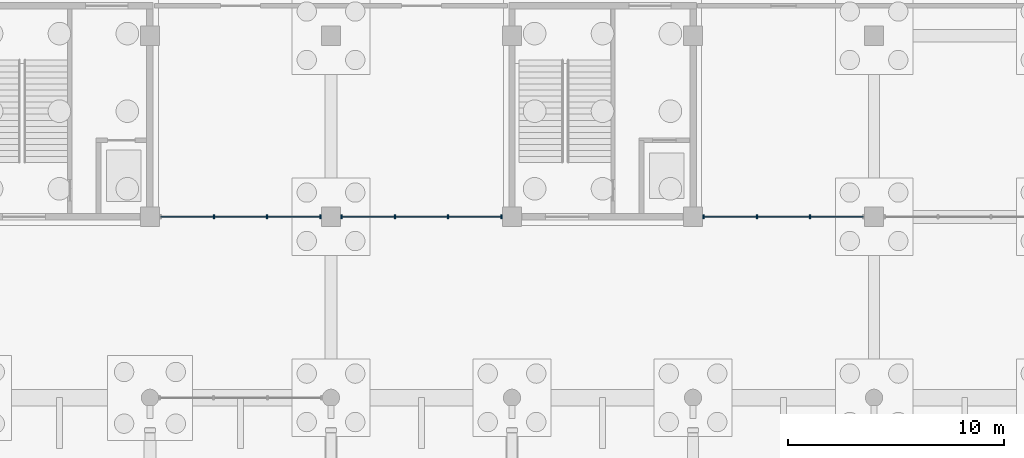
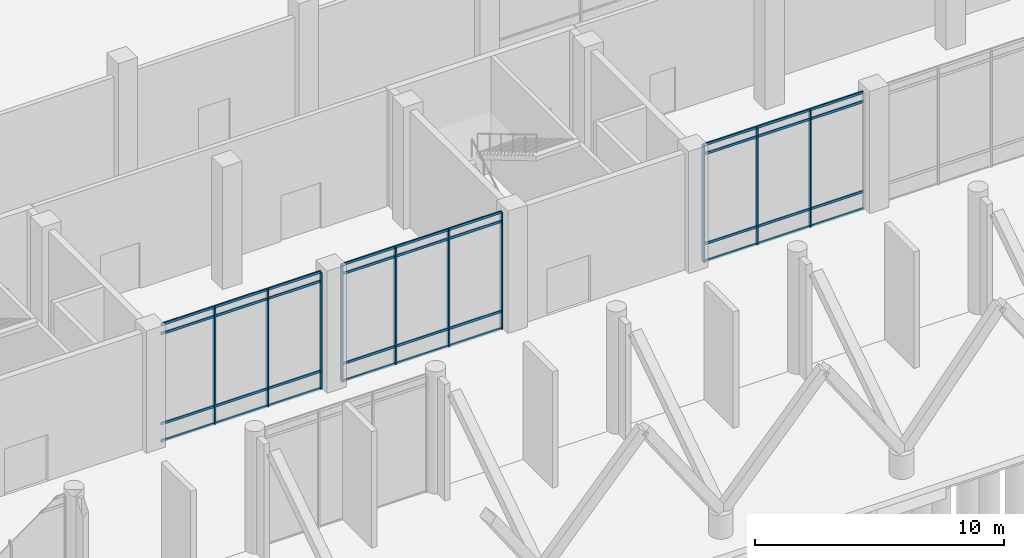
# One storey, part 28 of 72: 46 members, 3 elements without a shape of their own.
"""IFC4 building model written with IfcOpenShell, lengths in metres."""

from ifc_helpers import new_model, si_unit, direction, frame, origin, origin_2d, place, context, subcontext, project, spatial, rectangle, extrude, material, layer, layer_set, material_profile, profile_set, type_object, element, aggregate, save


model = new_model("IFC4")

# Units and contexts
model_context = context("Model", 3, precision=1e-05, world=origin(), true_north=direction((0.0, 1.0)))
body_context = subcontext(model_context, "Body", "Model", "MODEL_VIEW")
ifc_project = project(units=[si_unit("LENGTHUNIT", "METRE"), si_unit("AREAUNIT", "SQUARE_METRE"), si_unit("VOLUMEUNIT", "CUBIC_METRE"), si_unit("PLANEANGLEUNIT", "RADIAN"), si_unit("MASSUNIT", "GRAM", prefix="KILO")], contexts=[model_context])

# Site, building, storey
site_placement = place(None, origin())
site = spatial("IfcSite", under=ifc_project, at=site_placement, CompositionType="ELEMENT")
building_placement = place(site_placement, origin())
building = spatial("IfcBuilding", under=site, at=building_placement, Name="Qawsi Khor Wholesale Market", CompositionType="ELEMENT")
storey_placement = place(building_placement, origin())
storey = spatial("IfcBuildingStorey", under=building, at=storey_placement, Name="L00", CompositionType="ELEMENT", Elevation=0.0)

# Curtain wall, members
ifc_material = material(Name="Aluminium Anodised Bronze", Category="aluminium")
ifc_layer = layer(ifc_material, 0.159912109375, Name="Aluminium Anodised Bronze")
ifc_layer_set = layer_set([ifc_layer], Name="Aluminium Anodised Bronze")
curtain_wall_type = type_object("IfcCurtainWallType", Name="Boulevard Arcade Glazed Curtain Wall CW-01", PredefinedType="NOTDEFINED", material=ifc_layer_set)
curtain_wall_1_placement = place(storey_placement, origin())
curtain_wall_1 = element("IfcCurtainWall", 1, at=curtain_wall_1_placement, inside=storey, type_object=curtain_wall_type, Name="Curtain wall CW-CW-01-L00-005", PredefinedType="NOTDEFINED")
ifc_material_profile_1 = material_profile(ifc_material, rectangle(XDim=0.06494140625, YDim=0.179931640625, at=origin_2d()), Name="ALU MULLION 65x180")
ifc_profile_set_1 = profile_set([ifc_material_profile_1], Name="Aluminium Anodised Bronze")
member_type_1 = type_object("IfcMemberType", Name="Curtain Wall Mullion CW-01 ALU MULLION 65x180", PredefinedType="MULLION", material=ifc_profile_set_1)
member_1_placement = place(storey_placement, frame((128.964111328125, 8.39990234375, -0.02001953125), z_axis=(0.0, 0.0, 1.0), x_axis=(1.0, 0.0, 0.0)))
member_1 = element("IfcMember", 2, at=member_1_placement, type_object=member_type_1, Name="Mullion CW-CW-01-L00-005-M01", PredefinedType="MULLION", context=body_context, shape_type="SweptSolid", body=[
    extrude(rectangle(XDim=0.06494140625, YDim=0.179931640625, at=origin_2d()), origin(), (0.0, 0.0, 1.0), 5.739990234375),
])
member_2_placement = place(storey_placement, frame((131.435791015625, 8.39990234375, -0.02001953125), z_axis=(0.0, 0.0, 1.0), x_axis=(1.0, 0.0, 0.0)))
member_2 = element("IfcMember", 3, at=member_2_placement, type_object=member_type_1, Name="Mullion CW-CW-01-L00-005-M02", PredefinedType="MULLION", context=body_context, shape_type="SweptSolid", body=[
    extrude(rectangle(XDim=0.06494140625, YDim=0.179931640625, at=origin_2d()), origin(), (0.0, 0.0, 1.0), 5.739990234375),
])
member_3_placement = place(storey_placement, frame((133.907470703125, 8.39990234375, -0.02001953125), z_axis=(0.0, 0.0, 1.0), x_axis=(1.0, 0.0, 0.0)))
member_3 = element("IfcMember", 4, at=member_3_placement, type_object=member_type_1, Name="Mullion CW-CW-01-L00-005-M03", PredefinedType="MULLION", context=body_context, shape_type="SweptSolid", body=[
    extrude(rectangle(XDim=0.06494140625, YDim=0.179931640625, at=origin_2d()), origin(), (0.0, 0.0, 1.0), 5.739990234375),
])

curtain_wall_2_placement = place(storey_placement, origin())
curtain_wall_2 = element("IfcCurtainWall", 5, at=curtain_wall_2_placement, inside=storey, type_object=curtain_wall_type, Name="Curtain wall CW-CW-01-L00-006", PredefinedType="NOTDEFINED")
member_4_placement = place(storey_placement, frame((134.892578125, 8.39990234375, -0.02001953125), z_axis=(0.0, 0.0, 1.0), x_axis=(1.0, 0.0, 0.0)))
member_4 = element("IfcMember", 6, at=member_4_placement, type_object=member_type_1, Name="Mullion CW-CW-01-L00-006-M00", PredefinedType="MULLION", context=body_context, shape_type="SweptSolid", body=[
    extrude(rectangle(XDim=0.06494140625, YDim=0.179931640625, at=origin_2d()), origin(), (0.0, 0.0, 1.0), 5.739990234375),
])
member_5_placement = place(storey_placement, frame((137.3642578125, 8.39990234375, -0.02001953125), z_axis=(0.0, 0.0, 1.0), x_axis=(1.0, 0.0, 0.0)))
member_5 = element("IfcMember", 7, at=member_5_placement, type_object=member_type_1, Name="Mullion CW-CW-01-L00-006-M01", PredefinedType="MULLION", context=body_context, shape_type="SweptSolid", body=[
    extrude(rectangle(XDim=0.06494140625, YDim=0.179931640625, at=origin_2d()), origin(), (0.0, 0.0, 1.0), 5.739990234375),
])
member_6_placement = place(storey_placement, frame((139.835693359375, 8.39990234375, -0.02001953125), z_axis=(0.0, 0.0, 1.0), x_axis=(1.0, 0.0, 0.0)))
member_6 = element("IfcMember", 8, at=member_6_placement, type_object=member_type_1, Name="Mullion CW-CW-01-L00-006-M02", PredefinedType="MULLION", context=body_context, shape_type="SweptSolid", body=[
    extrude(rectangle(XDim=0.06494140625, YDim=0.179931640625, at=origin_2d()), origin(), (0.0, 0.0, 1.0), 5.739990234375),
])
member_7_placement = place(storey_placement, frame((142.3076171875, 8.39990234375, -0.02001953125), z_axis=(0.0, 0.0, 1.0), x_axis=(1.0, 0.0, 0.0)))
member_7 = element("IfcMember", 9, at=member_7_placement, type_object=member_type_1, Name="Mullion CW-CW-01-L00-006-M03", PredefinedType="MULLION", context=body_context, shape_type="SweptSolid", body=[
    extrude(rectangle(XDim=0.06494140625, YDim=0.179931640625, at=origin_2d()), origin(), (0.0, 0.0, 1.0), 5.739990234375),
])

curtain_wall_3_placement = place(storey_placement, origin())
curtain_wall_3 = element("IfcCurtainWall", 10, at=curtain_wall_3_placement, inside=storey, type_object=curtain_wall_type, Name="Curtain wall CW-CW-01-L00-007", PredefinedType="NOTDEFINED")
member_8_placement = place(storey_placement, frame((151.6923828125, 8.39990234375, -0.02001953125), z_axis=(0.0, 0.0, 1.0), x_axis=(1.0, 0.0, 0.0)))
member_8 = element("IfcMember", 11, at=member_8_placement, type_object=member_type_1, Name="Mullion CW-CW-01-L00-007-M00", PredefinedType="MULLION", context=body_context, shape_type="SweptSolid", body=[
    extrude(rectangle(XDim=0.06494140625, YDim=0.179931640625, at=origin_2d()), origin(), (0.0, 0.0, 1.0), 5.739990234375),
])
member_9_placement = place(storey_placement, frame((154.164306640625, 8.39990234375, -0.02001953125), z_axis=(0.0, 0.0, 1.0), x_axis=(1.0, 0.0, 0.0)))
member_9 = element("IfcMember", 12, at=member_9_placement, type_object=member_type_1, Name="Mullion CW-CW-01-L00-007-M01", PredefinedType="MULLION", context=body_context, shape_type="SweptSolid", body=[
    extrude(rectangle(XDim=0.06494140625, YDim=0.179931640625, at=origin_2d()), origin(), (0.0, 0.0, 1.0), 5.739990234375),
])
member_10_placement = place(storey_placement, frame((156.6357421875, 8.39990234375, -0.02001953125), z_axis=(0.0, 0.0, 1.0), x_axis=(1.0, 0.0, 0.0)))
member_10 = element("IfcMember", 13, at=member_10_placement, type_object=member_type_1, Name="Mullion CW-CW-01-L00-007-M02", PredefinedType="MULLION", context=body_context, shape_type="SweptSolid", body=[
    extrude(rectangle(XDim=0.06494140625, YDim=0.179931640625, at=origin_2d()), origin(), (0.0, 0.0, 1.0), 5.739990234375),
])

# Member
ifc_material_profile_2 = material_profile(ifc_material, rectangle(XDim=0.06005859375, YDim=0.1201171875, at=origin_2d()), Name="ALU TRANSOM 60x120")
ifc_profile_set_2 = profile_set([ifc_material_profile_2], Name="Aluminium Anodised Bronze")
member_type_2 = type_object("IfcMemberType", Name="Curtain Wall Transom CW-01 ALU TRANSOM 60x120", PredefinedType="USERDEFINED", material=ifc_profile_set_2)
member_11_placement = place(storey_placement, frame((126.492431640625, 8.39990234375, 0.0), z_axis=(1.0, 0.0, 0.0), x_axis=(0.0, 1.0, 0.0)))
member_11 = element("IfcMember", 14, at=member_11_placement, type_object=member_type_2, Name="Transom CW-CW-01-L00-005-T0_00", ObjectType="TRANSOM", PredefinedType="USERDEFINED", context=body_context, shape_type="SweptSolid", body=[
    extrude(rectangle(XDim=0.06005859375, YDim=0.1201171875, at=origin_2d()), origin(), (0.0, 0.0, 1.0), 2.4716796875),
])

member_12_placement = place(storey_placement, frame((128.964111328125, 8.39990234375, 0.0), z_axis=(1.0, 0.0, 0.0), x_axis=(0.0, 1.0, 0.0)))
member_12 = element("IfcMember", 15, at=member_12_placement, type_object=member_type_2, Name="Transom CW-CW-01-L00-005-T0_01", ObjectType="TRANSOM", PredefinedType="USERDEFINED", context=body_context, shape_type="SweptSolid", body=[
    extrude(rectangle(XDim=0.06005859375, YDim=0.1201171875, at=origin_2d()), origin(), (0.0, 0.0, 1.0), 2.4716796875),
])

member_13_placement = place(storey_placement, frame((131.435791015625, 8.39990234375, 0.0), z_axis=(1.0, 0.0, 0.0), x_axis=(0.0, 1.0, 0.0)))
member_13 = element("IfcMember", 16, at=member_13_placement, type_object=member_type_2, Name="Transom CW-CW-01-L00-005-T0_02", ObjectType="TRANSOM", PredefinedType="USERDEFINED", context=body_context, shape_type="SweptSolid", body=[
    extrude(rectangle(XDim=0.06005859375, YDim=0.1201171875, at=origin_2d()), origin(), (0.0, 0.0, 1.0), 2.4716796875),
])

member_14_placement = place(storey_placement, frame((126.492431640625, 8.39990234375, 0.85009765625), z_axis=(1.0, 0.0, 0.0), x_axis=(0.0, 1.0, 0.0)))
member_14 = element("IfcMember", 17, at=member_14_placement, type_object=member_type_2, Name="Transom CW-CW-01-L00-005-T1_00", ObjectType="TRANSOM", PredefinedType="USERDEFINED", context=body_context, shape_type="SweptSolid", body=[
    extrude(rectangle(XDim=0.06005859375, YDim=0.1201171875, at=origin_2d()), origin(), (0.0, 0.0, 1.0), 2.4716796875),
])

member_15_placement = place(storey_placement, frame((128.964111328125, 8.39990234375, 0.85009765625), z_axis=(1.0, 0.0, 0.0), x_axis=(0.0, 1.0, 0.0)))
member_15 = element("IfcMember", 18, at=member_15_placement, type_object=member_type_2, Name="Transom CW-CW-01-L00-005-T1_01", ObjectType="TRANSOM", PredefinedType="USERDEFINED", context=body_context, shape_type="SweptSolid", body=[
    extrude(rectangle(XDim=0.06005859375, YDim=0.1201171875, at=origin_2d()), origin(), (0.0, 0.0, 1.0), 2.4716796875),
])

member_16_placement = place(storey_placement, frame((131.435791015625, 8.39990234375, 0.85009765625), z_axis=(1.0, 0.0, 0.0), x_axis=(0.0, 1.0, 0.0)))
member_16 = element("IfcMember", 19, at=member_16_placement, type_object=member_type_2, Name="Transom CW-CW-01-L00-005-T1_02", ObjectType="TRANSOM", PredefinedType="USERDEFINED", context=body_context, shape_type="SweptSolid", body=[
    extrude(rectangle(XDim=0.06005859375, YDim=0.1201171875, at=origin_2d()), origin(), (0.0, 0.0, 1.0), 2.4716796875),
])

member_17_placement = place(storey_placement, frame((126.492431640625, 8.39990234375, 5.27001953125), z_axis=(1.0, 0.0, 0.0), x_axis=(0.0, 1.0, 0.0)))
member_17 = element("IfcMember", 20, at=member_17_placement, type_object=member_type_2, Name="Transom CW-CW-01-L00-005-T2_00", ObjectType="TRANSOM", PredefinedType="USERDEFINED", context=body_context, shape_type="SweptSolid", body=[
    extrude(rectangle(XDim=0.06005859375, YDim=0.1201171875, at=origin_2d()), origin(), (0.0, 0.0, 1.0), 2.4716796875),
])

member_18_placement = place(storey_placement, frame((128.964111328125, 8.39990234375, 5.27001953125), z_axis=(1.0, 0.0, 0.0), x_axis=(0.0, 1.0, 0.0)))
member_18 = element("IfcMember", 21, at=member_18_placement, type_object=member_type_2, Name="Transom CW-CW-01-L00-005-T2_01", ObjectType="TRANSOM", PredefinedType="USERDEFINED", context=body_context, shape_type="SweptSolid", body=[
    extrude(rectangle(XDim=0.06005859375, YDim=0.1201171875, at=origin_2d()), origin(), (0.0, 0.0, 1.0), 2.4716796875),
])

member_19_placement = place(storey_placement, frame((131.435791015625, 8.39990234375, 5.27001953125), z_axis=(1.0, 0.0, 0.0), x_axis=(0.0, 1.0, 0.0)))
member_19 = element("IfcMember", 22, at=member_19_placement, type_object=member_type_2, Name="Transom CW-CW-01-L00-005-T2_02", ObjectType="TRANSOM", PredefinedType="USERDEFINED", context=body_context, shape_type="SweptSolid", body=[
    extrude(rectangle(XDim=0.06005859375, YDim=0.1201171875, at=origin_2d()), origin(), (0.0, 0.0, 1.0), 2.4716796875),
])

member_20_placement = place(storey_placement, frame((126.492431640625, 8.39990234375, 5.719970703125), z_axis=(1.0, 0.0, 0.0), x_axis=(0.0, 1.0, 0.0)))
member_20 = element("IfcMember", 23, at=member_20_placement, type_object=member_type_2, Name="Transom CW-CW-01-L00-005-T3_00", ObjectType="TRANSOM", PredefinedType="USERDEFINED", context=body_context, shape_type="SweptSolid", body=[
    extrude(rectangle(XDim=0.06005859375, YDim=0.1201171875, at=origin_2d()), origin(), (0.0, 0.0, 1.0), 2.4716796875),
])

member_21_placement = place(storey_placement, frame((128.964111328125, 8.39990234375, 5.719970703125), z_axis=(1.0, 0.0, 0.0), x_axis=(0.0, 1.0, 0.0)))
member_21 = element("IfcMember", 24, at=member_21_placement, type_object=member_type_2, Name="Transom CW-CW-01-L00-005-T3_01", ObjectType="TRANSOM", PredefinedType="USERDEFINED", context=body_context, shape_type="SweptSolid", body=[
    extrude(rectangle(XDim=0.06005859375, YDim=0.1201171875, at=origin_2d()), origin(), (0.0, 0.0, 1.0), 2.4716796875),
])

member_22_placement = place(storey_placement, frame((131.435791015625, 8.39990234375, 5.719970703125), z_axis=(1.0, 0.0, 0.0), x_axis=(0.0, 1.0, 0.0)))
member_22 = element("IfcMember", 25, at=member_22_placement, type_object=member_type_2, Name="Transom CW-CW-01-L00-005-T3_02", ObjectType="TRANSOM", PredefinedType="USERDEFINED", context=body_context, shape_type="SweptSolid", body=[
    extrude(rectangle(XDim=0.06005859375, YDim=0.1201171875, at=origin_2d()), origin(), (0.0, 0.0, 1.0), 2.4716796875),
])

aggregate(curtain_wall_1, [member_1, member_2, member_3, member_11, member_12, member_13, member_14, member_15, member_16, member_17, member_18, member_19, member_20, member_21, member_22])

member_23_placement = place(storey_placement, frame((134.892578125, 8.39990234375, 0.0), z_axis=(1.0, 0.0, 0.0), x_axis=(0.0, 1.0, 0.0)))
member_23 = element("IfcMember", 26, at=member_23_placement, type_object=member_type_2, Name="Transom CW-CW-01-L00-006-T0_00", ObjectType="TRANSOM", PredefinedType="USERDEFINED", context=body_context, shape_type="SweptSolid", body=[
    extrude(rectangle(XDim=0.06005859375, YDim=0.1201171875, at=origin_2d()), origin(), (0.0, 0.0, 1.0), 2.4716796875),
])

member_24_placement = place(storey_placement, frame((137.3642578125, 8.39990234375, 0.0), z_axis=(1.0, 0.0, 0.0), x_axis=(0.0, 1.0, 0.0)))
member_24 = element("IfcMember", 27, at=member_24_placement, type_object=member_type_2, Name="Transom CW-CW-01-L00-006-T0_01", ObjectType="TRANSOM", PredefinedType="USERDEFINED", context=body_context, shape_type="SweptSolid", body=[
    extrude(rectangle(XDim=0.06005859375, YDim=0.1201171875, at=origin_2d()), origin(), (0.0, 0.0, 1.0), 2.471435546875),
])

member_25_placement = place(storey_placement, frame((139.835693359375, 8.39990234375, 0.0), z_axis=(1.0, 0.0, 0.0), x_axis=(0.0, 1.0, 0.0)))
member_25 = element("IfcMember", 28, at=member_25_placement, type_object=member_type_2, Name="Transom CW-CW-01-L00-006-T0_02", ObjectType="TRANSOM", PredefinedType="USERDEFINED", context=body_context, shape_type="SweptSolid", body=[
    extrude(rectangle(XDim=0.06005859375, YDim=0.1201171875, at=origin_2d()), origin(), (0.0, 0.0, 1.0), 2.471923828125),
])

member_26_placement = place(storey_placement, frame((134.892578125, 8.39990234375, 0.85009765625), z_axis=(1.0, 0.0, 0.0), x_axis=(0.0, 1.0, 0.0)))
member_26 = element("IfcMember", 29, at=member_26_placement, type_object=member_type_2, Name="Transom CW-CW-01-L00-006-T1_00", ObjectType="TRANSOM", PredefinedType="USERDEFINED", context=body_context, shape_type="SweptSolid", body=[
    extrude(rectangle(XDim=0.06005859375, YDim=0.1201171875, at=origin_2d()), origin(), (0.0, 0.0, 1.0), 2.4716796875),
])

member_27_placement = place(storey_placement, frame((137.3642578125, 8.39990234375, 0.85009765625), z_axis=(1.0, 0.0, 0.0), x_axis=(0.0, 1.0, 0.0)))
member_27 = element("IfcMember", 30, at=member_27_placement, type_object=member_type_2, Name="Transom CW-CW-01-L00-006-T1_01", ObjectType="TRANSOM", PredefinedType="USERDEFINED", context=body_context, shape_type="SweptSolid", body=[
    extrude(rectangle(XDim=0.06005859375, YDim=0.1201171875, at=origin_2d()), origin(), (0.0, 0.0, 1.0), 2.471435546875),
])

member_28_placement = place(storey_placement, frame((139.835693359375, 8.39990234375, 0.85009765625), z_axis=(1.0, 0.0, 0.0), x_axis=(0.0, 1.0, 0.0)))
member_28 = element("IfcMember", 31, at=member_28_placement, type_object=member_type_2, Name="Transom CW-CW-01-L00-006-T1_02", ObjectType="TRANSOM", PredefinedType="USERDEFINED", context=body_context, shape_type="SweptSolid", body=[
    extrude(rectangle(XDim=0.06005859375, YDim=0.1201171875, at=origin_2d()), origin(), (0.0, 0.0, 1.0), 2.471923828125),
])

member_29_placement = place(storey_placement, frame((134.892578125, 8.39990234375, 5.27001953125), z_axis=(1.0, 0.0, 0.0), x_axis=(0.0, 1.0, 0.0)))
member_29 = element("IfcMember", 32, at=member_29_placement, type_object=member_type_2, Name="Transom CW-CW-01-L00-006-T2_00", ObjectType="TRANSOM", PredefinedType="USERDEFINED", context=body_context, shape_type="SweptSolid", body=[
    extrude(rectangle(XDim=0.06005859375, YDim=0.1201171875, at=origin_2d()), origin(), (0.0, 0.0, 1.0), 2.4716796875),
])

member_30_placement = place(storey_placement, frame((137.3642578125, 8.39990234375, 5.27001953125), z_axis=(1.0, 0.0, 0.0), x_axis=(0.0, 1.0, 0.0)))
member_30 = element("IfcMember", 33, at=member_30_placement, type_object=member_type_2, Name="Transom CW-CW-01-L00-006-T2_01", ObjectType="TRANSOM", PredefinedType="USERDEFINED", context=body_context, shape_type="SweptSolid", body=[
    extrude(rectangle(XDim=0.06005859375, YDim=0.1201171875, at=origin_2d()), origin(), (0.0, 0.0, 1.0), 2.471435546875),
])

member_31_placement = place(storey_placement, frame((139.835693359375, 8.39990234375, 5.27001953125), z_axis=(1.0, 0.0, 0.0), x_axis=(0.0, 1.0, 0.0)))
member_31 = element("IfcMember", 34, at=member_31_placement, type_object=member_type_2, Name="Transom CW-CW-01-L00-006-T2_02", ObjectType="TRANSOM", PredefinedType="USERDEFINED", context=body_context, shape_type="SweptSolid", body=[
    extrude(rectangle(XDim=0.06005859375, YDim=0.1201171875, at=origin_2d()), origin(), (0.0, 0.0, 1.0), 2.471923828125),
])

member_32_placement = place(storey_placement, frame((134.892578125, 8.39990234375, 5.719970703125), z_axis=(1.0, 0.0, 0.0), x_axis=(0.0, 1.0, 0.0)))
member_32 = element("IfcMember", 35, at=member_32_placement, type_object=member_type_2, Name="Transom CW-CW-01-L00-006-T3_00", ObjectType="TRANSOM", PredefinedType="USERDEFINED", context=body_context, shape_type="SweptSolid", body=[
    extrude(rectangle(XDim=0.06005859375, YDim=0.1201171875, at=origin_2d()), origin(), (0.0, 0.0, 1.0), 2.4716796875),
])

member_33_placement = place(storey_placement, frame((137.3642578125, 8.39990234375, 5.719970703125), z_axis=(1.0, 0.0, 0.0), x_axis=(0.0, 1.0, 0.0)))
member_33 = element("IfcMember", 36, at=member_33_placement, type_object=member_type_2, Name="Transom CW-CW-01-L00-006-T3_01", ObjectType="TRANSOM", PredefinedType="USERDEFINED", context=body_context, shape_type="SweptSolid", body=[
    extrude(rectangle(XDim=0.06005859375, YDim=0.1201171875, at=origin_2d()), origin(), (0.0, 0.0, 1.0), 2.471435546875),
])

member_34_placement = place(storey_placement, frame((139.835693359375, 8.39990234375, 5.719970703125), z_axis=(1.0, 0.0, 0.0), x_axis=(0.0, 1.0, 0.0)))
member_34 = element("IfcMember", 37, at=member_34_placement, type_object=member_type_2, Name="Transom CW-CW-01-L00-006-T3_02", ObjectType="TRANSOM", PredefinedType="USERDEFINED", context=body_context, shape_type="SweptSolid", body=[
    extrude(rectangle(XDim=0.06005859375, YDim=0.1201171875, at=origin_2d()), origin(), (0.0, 0.0, 1.0), 2.471923828125),
])

aggregate(curtain_wall_2, [member_4, member_5, member_6, member_7, member_23, member_24, member_25, member_26, member_27, member_28, member_29, member_30, member_31, member_32, member_33, member_34])

member_35_placement = place(storey_placement, frame((151.6923828125, 8.39990234375, 0.0), z_axis=(1.0, 0.0, 0.0), x_axis=(0.0, 1.0, 0.0)))
member_35 = element("IfcMember", 38, at=member_35_placement, type_object=member_type_2, Name="Transom CW-CW-01-L00-007-T0_00", ObjectType="TRANSOM", PredefinedType="USERDEFINED", context=body_context, shape_type="SweptSolid", body=[
    extrude(rectangle(XDim=0.06005859375, YDim=0.1201171875, at=origin_2d()), origin(), (0.0, 0.0, 1.0), 2.471923828125),
])

member_36_placement = place(storey_placement, frame((154.164306640625, 8.39990234375, 0.0), z_axis=(1.0, 0.0, 0.0), x_axis=(0.0, 1.0, 0.0)))
member_36 = element("IfcMember", 39, at=member_36_placement, type_object=member_type_2, Name="Transom CW-CW-01-L00-007-T0_01", ObjectType="TRANSOM", PredefinedType="USERDEFINED", context=body_context, shape_type="SweptSolid", body=[
    extrude(rectangle(XDim=0.06005859375, YDim=0.1201171875, at=origin_2d()), origin(), (0.0, 0.0, 1.0), 2.471435546875),
])

member_37_placement = place(storey_placement, frame((156.6357421875, 8.39990234375, 0.0), z_axis=(1.0, 0.0, 0.0), x_axis=(0.0, 1.0, 0.0)))
member_37 = element("IfcMember", 40, at=member_37_placement, type_object=member_type_2, Name="Transom CW-CW-01-L00-007-T0_02", ObjectType="TRANSOM", PredefinedType="USERDEFINED", context=body_context, shape_type="SweptSolid", body=[
    extrude(rectangle(XDim=0.06005859375, YDim=0.1201171875, at=origin_2d()), origin(), (0.0, 0.0, 1.0), 2.4716796875),
])

member_38_placement = place(storey_placement, frame((151.6923828125, 8.39990234375, 0.85009765625), z_axis=(1.0, 0.0, 0.0), x_axis=(0.0, 1.0, 0.0)))
member_38 = element("IfcMember", 41, at=member_38_placement, type_object=member_type_2, Name="Transom CW-CW-01-L00-007-T1_00", ObjectType="TRANSOM", PredefinedType="USERDEFINED", context=body_context, shape_type="SweptSolid", body=[
    extrude(rectangle(XDim=0.06005859375, YDim=0.1201171875, at=origin_2d()), origin(), (0.0, 0.0, 1.0), 2.471923828125),
])

member_39_placement = place(storey_placement, frame((154.164306640625, 8.39990234375, 0.85009765625), z_axis=(1.0, 0.0, 0.0), x_axis=(0.0, 1.0, 0.0)))
member_39 = element("IfcMember", 42, at=member_39_placement, type_object=member_type_2, Name="Transom CW-CW-01-L00-007-T1_01", ObjectType="TRANSOM", PredefinedType="USERDEFINED", context=body_context, shape_type="SweptSolid", body=[
    extrude(rectangle(XDim=0.06005859375, YDim=0.1201171875, at=origin_2d()), origin(), (0.0, 0.0, 1.0), 2.471435546875),
])

member_40_placement = place(storey_placement, frame((156.6357421875, 8.39990234375, 0.85009765625), z_axis=(1.0, 0.0, 0.0), x_axis=(0.0, 1.0, 0.0)))
member_40 = element("IfcMember", 43, at=member_40_placement, type_object=member_type_2, Name="Transom CW-CW-01-L00-007-T1_02", ObjectType="TRANSOM", PredefinedType="USERDEFINED", context=body_context, shape_type="SweptSolid", body=[
    extrude(rectangle(XDim=0.06005859375, YDim=0.1201171875, at=origin_2d()), origin(), (0.0, 0.0, 1.0), 2.4716796875),
])

member_41_placement = place(storey_placement, frame((151.6923828125, 8.39990234375, 5.27001953125), z_axis=(1.0, 0.0, 0.0), x_axis=(0.0, 1.0, 0.0)))
member_41 = element("IfcMember", 44, at=member_41_placement, type_object=member_type_2, Name="Transom CW-CW-01-L00-007-T2_00", ObjectType="TRANSOM", PredefinedType="USERDEFINED", context=body_context, shape_type="SweptSolid", body=[
    extrude(rectangle(XDim=0.06005859375, YDim=0.1201171875, at=origin_2d()), origin(), (0.0, 0.0, 1.0), 2.471923828125),
])

member_42_placement = place(storey_placement, frame((154.164306640625, 8.39990234375, 5.27001953125), z_axis=(1.0, 0.0, 0.0), x_axis=(0.0, 1.0, 0.0)))
member_42 = element("IfcMember", 45, at=member_42_placement, type_object=member_type_2, Name="Transom CW-CW-01-L00-007-T2_01", ObjectType="TRANSOM", PredefinedType="USERDEFINED", context=body_context, shape_type="SweptSolid", body=[
    extrude(rectangle(XDim=0.06005859375, YDim=0.1201171875, at=origin_2d()), origin(), (0.0, 0.0, 1.0), 2.471435546875),
])

member_43_placement = place(storey_placement, frame((156.6357421875, 8.39990234375, 5.27001953125), z_axis=(1.0, 0.0, 0.0), x_axis=(0.0, 1.0, 0.0)))
member_43 = element("IfcMember", 46, at=member_43_placement, type_object=member_type_2, Name="Transom CW-CW-01-L00-007-T2_02", ObjectType="TRANSOM", PredefinedType="USERDEFINED", context=body_context, shape_type="SweptSolid", body=[
    extrude(rectangle(XDim=0.06005859375, YDim=0.1201171875, at=origin_2d()), origin(), (0.0, 0.0, 1.0), 2.4716796875),
])

member_44_placement = place(storey_placement, frame((151.6923828125, 8.39990234375, 5.719970703125), z_axis=(1.0, 0.0, 0.0), x_axis=(0.0, 1.0, 0.0)))
member_44 = element("IfcMember", 47, at=member_44_placement, type_object=member_type_2, Name="Transom CW-CW-01-L00-007-T3_00", ObjectType="TRANSOM", PredefinedType="USERDEFINED", context=body_context, shape_type="SweptSolid", body=[
    extrude(rectangle(XDim=0.06005859375, YDim=0.1201171875, at=origin_2d()), origin(), (0.0, 0.0, 1.0), 2.471923828125),
])

member_45_placement = place(storey_placement, frame((154.164306640625, 8.39990234375, 5.719970703125), z_axis=(1.0, 0.0, 0.0), x_axis=(0.0, 1.0, 0.0)))
member_45 = element("IfcMember", 48, at=member_45_placement, type_object=member_type_2, Name="Transom CW-CW-01-L00-007-T3_01", ObjectType="TRANSOM", PredefinedType="USERDEFINED", context=body_context, shape_type="SweptSolid", body=[
    extrude(rectangle(XDim=0.06005859375, YDim=0.1201171875, at=origin_2d()), origin(), (0.0, 0.0, 1.0), 2.471435546875),
])

member_46_placement = place(storey_placement, frame((156.6357421875, 8.39990234375, 5.719970703125), z_axis=(1.0, 0.0, 0.0), x_axis=(0.0, 1.0, 0.0)))
member_46 = element("IfcMember", 49, at=member_46_placement, type_object=member_type_2, Name="Transom CW-CW-01-L00-007-T3_02", ObjectType="TRANSOM", PredefinedType="USERDEFINED", context=body_context, shape_type="SweptSolid", body=[
    extrude(rectangle(XDim=0.06005859375, YDim=0.1201171875, at=origin_2d()), origin(), (0.0, 0.0, 1.0), 2.4716796875),
])

aggregate(curtain_wall_3, [member_8, member_9, member_10, member_35, member_36, member_37, member_38, member_39, member_40, member_41, member_42, member_43, member_44, member_45, member_46])

save(model, "model.ifc")
